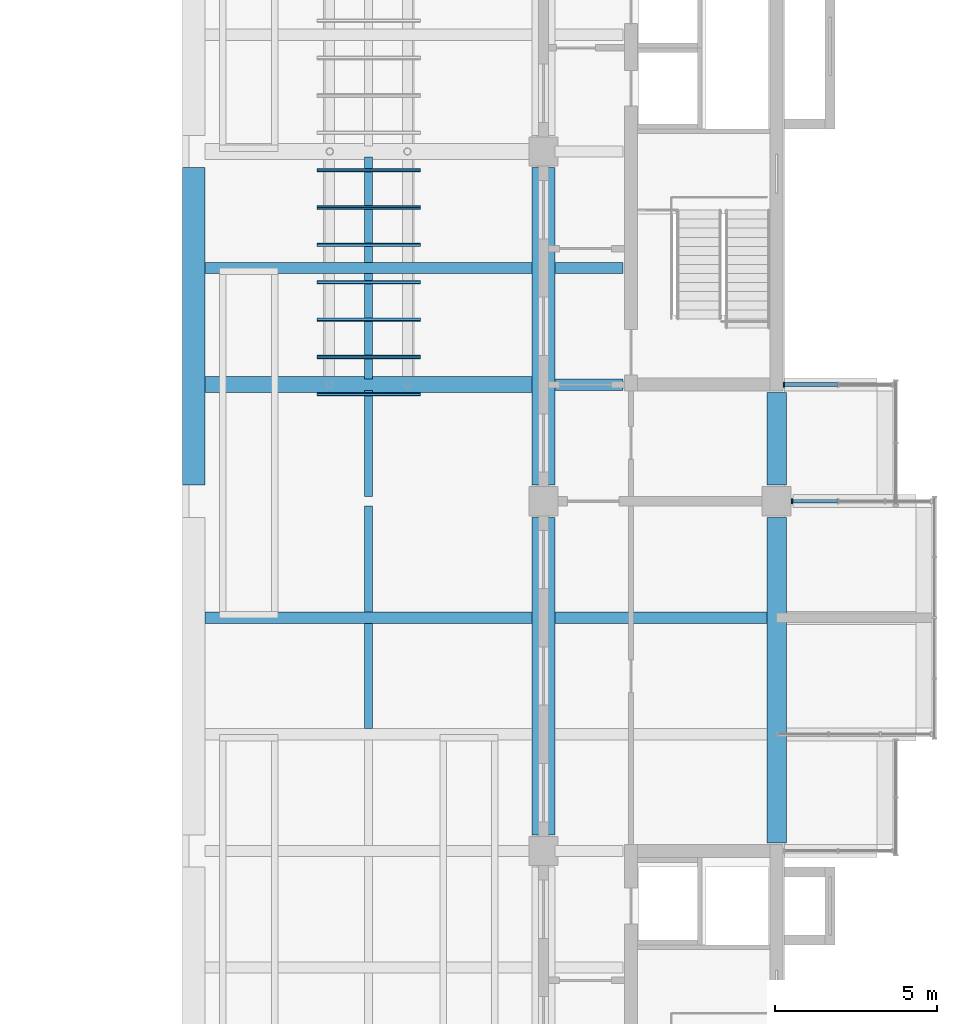
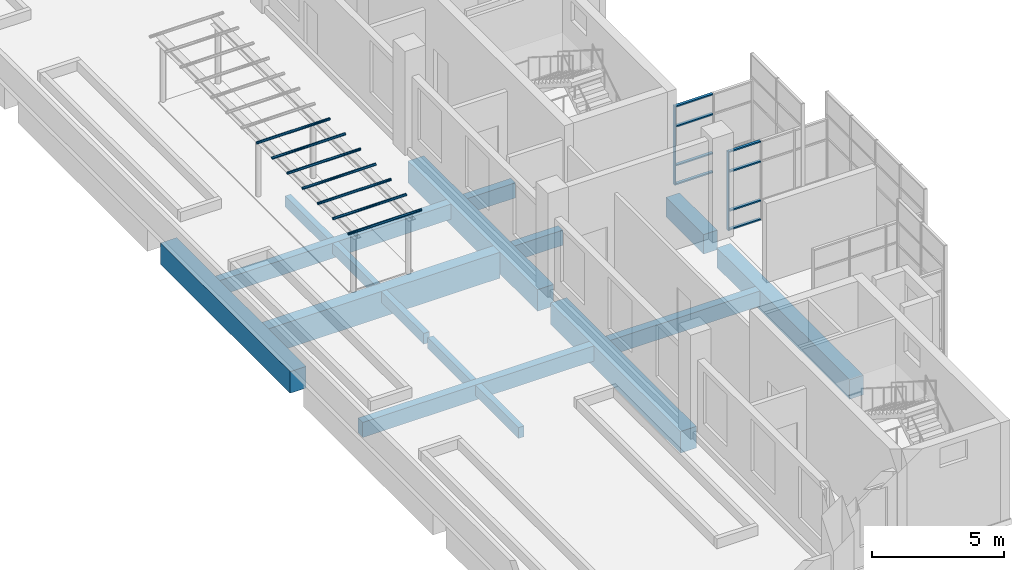
# One storey, part 10 of 32: 17 members, 16 beams, 2 elements without a shape of their own.
"""IFC4 building model written with IfcOpenShell, lengths in metres."""

from ifc_helpers import new_model, si_unit, direction, frame, origin, origin_2d, place, context, subcontext, project, spatial, rectangle, hollow_circle, extrude, material, layer, layer_set, material_profile, profile_set, type_object, element, aggregate, save


model = new_model("IFC4")

# Units and contexts
model_context = context("Model", 3, precision=1e-05, world=origin(), true_north=direction((0.0, 1.0)))
body_context = subcontext(model_context, "Body", "Model", "MODEL_VIEW")
ifc_project = project(units=[si_unit("LENGTHUNIT", "METRE"), si_unit("AREAUNIT", "SQUARE_METRE"), si_unit("VOLUMEUNIT", "CUBIC_METRE"), si_unit("PLANEANGLEUNIT", "RADIAN"), si_unit("MASSUNIT", "GRAM", prefix="KILO")], contexts=[model_context])

# Site, building, storey
site_placement = place(None, origin())
site = spatial("IfcSite", under=ifc_project, at=site_placement, CompositionType="ELEMENT")
building_placement = place(site_placement, origin())
building = spatial("IfcBuilding", under=site, at=building_placement, Name="Basin Gate Institute", CompositionType="ELEMENT")
storey_placement = place(building_placement, frame((0.0, 0.0, 41.39990234375)))
storey = spatial("IfcBuildingStorey", under=building, at=storey_placement, Name="L08", CompositionType="ELEMENT", Elevation=41.39990234375)

# Beams
ifc_material_1 = material(Name="Concrete 40 MPa", Category="concrete")
ifc_material_profile_1 = material_profile(ifc_material_1, rectangle(XDim=0.35009765625, YDim=0.699951171875, at=origin_2d()), Name="Beam B1 350 x 700")
ifc_profile_set_1 = profile_set([ifc_material_profile_1], Name="Concrete 40 MPa")
beam_type_1 = type_object("IfcBeamType", Name="Beam B1 R120", PredefinedType="BEAM", material=ifc_profile_set_1)
beam_1_placement = place(storey_placement, frame((111.25, 53.10009765625, -0.599853515625), z_axis=(-1.0, 0.0, 0.0), x_axis=(0.0, -1.0, 0.0)))
element("IfcBeam", 1, at=beam_1_placement, inside=storey, type_object=beam_type_1, material=ifc_profile_set_1, Name="BEAM/L08/E/EW/06", PredefinedType="BEAM", context=body_context, shape_type="SweptSolid", body=[
    extrude(rectangle(XDim=0.35009765625, YDim=0.699951171875, at=origin_2d()), origin(), (0.0, 0.0, 1.0), 10.10009765625),
])
beam_2_placement = place(storey_placement, frame((118.5, 53.10009765625, -0.599853515625), z_axis=(-1.0, 0.0, 0.0), x_axis=(0.0, -1.0, 0.0)))
element("IfcBeam", 2, at=beam_2_placement, inside=storey, type_object=beam_type_1, material=ifc_profile_set_1, Name="BEAM/L08/E/OUT/06", PredefinedType="BEAM", context=body_context, shape_type="SweptSolid", body=[
    extrude(rectangle(XDim=0.35009765625, YDim=0.699951171875, at=origin_2d()), origin(), (0.0, 0.0, 1.0), 6.550048828125),
])
beam_3_placement = place(storey_placement, frame((114.050048828125, 60.300048828125, -0.599853515625), z_axis=(-1.0, 0.0, 0.0), x_axis=(0.0, -1.0, 0.0)))
element("IfcBeam", 3, at=beam_3_placement, inside=storey, type_object=beam_type_1, material=ifc_profile_set_1, Name="BEAM/L08/E/CORR/08", PredefinedType="BEAM", context=body_context, shape_type="SweptSolid", body=[
    extrude(rectangle(XDim=0.35009765625, YDim=0.699951171875, at=origin_2d()), origin(), (0.0, 0.0, 1.0), 2.10009765625),
])
beam_4_placement = place(storey_placement, frame((111.25, 63.89990234375, -0.599853515625), z_axis=(-1.0, 0.0, 0.0), x_axis=(0.0, -1.0, 0.0)))
element("IfcBeam", 4, at=beam_4_placement, inside=storey, type_object=beam_type_1, material=ifc_profile_set_1, Name="BEAM/L08/E/EW/09", PredefinedType="BEAM", context=body_context, shape_type="SweptSolid", body=[
    extrude(rectangle(XDim=0.35009765625, YDim=0.699951171875, at=origin_2d()), origin(), (0.0, 0.0, 1.0), 10.10009765625),
])
beam_5_placement = place(storey_placement, frame((114.050048828125, 63.89990234375, -0.599853515625), z_axis=(-1.0, 0.0, 0.0), x_axis=(0.0, -1.0, 0.0)))
element("IfcBeam", 5, at=beam_5_placement, inside=storey, type_object=beam_type_1, material=ifc_profile_set_1, Name="BEAM/L08/E/CORR/09", PredefinedType="BEAM", context=body_context, shape_type="SweptSolid", body=[
    extrude(rectangle(XDim=0.35009765625, YDim=0.699951171875, at=origin_2d()), origin(), (0.0, 0.0, 1.0), 2.10009765625),
])
ifc_material_2 = material(Name="Concrete 50 MPa", Category="concrete")
ifc_material_profile_2 = material_profile(ifc_material_2, rectangle(XDim=0.60009765625, YDim=0.89990234375, at=origin_2d()), Name="Edge beam EB1 600 x 900")
ifc_profile_set_2 = profile_set([ifc_material_profile_2], Name="Concrete 50 MPa")
beam_type_2 = type_object("IfcBeamType", Name="Edge beam EB1 R120", PredefinedType="SPANDREL", material=ifc_profile_set_2)
beam_6_placement = place(storey_placement, frame((118.800048828125, 46.14990234375, -0.699951171875), z_axis=(0.0, 1.0, 0.0), x_axis=(-1.0, 0.0, 0.0)))
element("IfcBeam", 6, at=beam_6_placement, inside=storey, type_object=beam_type_2, material=ifc_profile_set_2, Name="BEAM/L08/E/EDGE/1", PredefinedType="SPANDREL", context=body_context, shape_type="SweptSolid", body=[
    extrude(rectangle(XDim=0.60009765625, YDim=0.89990234375, at=origin_2d()), origin(), (0.0, 0.0, 1.0), 10.050048828125),
])
ifc_material_3 = material(Name="Concrete 50 MPa", Category="concrete")
ifc_material_profile_3 = material_profile(ifc_material_3, rectangle(XDim=0.60009765625, YDim=0.89990234375, at=origin_2d()), Name="Edge return beam EB3 600 x 900")
ifc_profile_set_3 = profile_set([ifc_material_profile_3], Name="Concrete 50 MPa")
beam_type_3 = type_object("IfcBeamType", Name="Edge return beam EB3 R120", PredefinedType="SPANDREL", material=ifc_profile_set_3)
beam_7_placement = place(storey_placement, frame((118.800048828125, 57.199951171875, -0.699951171875), z_axis=(0.0, 1.0, 0.0), x_axis=(-1.0, 0.0, 0.0)))
element("IfcBeam", 7, at=beam_7_placement, inside=storey, type_object=beam_type_3, material=ifc_profile_set_3, Name="BEAM/L08/E/EDGE/2", PredefinedType="SPANDREL", context=body_context, shape_type="SweptSolid", body=[
    extrude(rectangle(XDim=0.60009765625, YDim=0.89990234375, at=origin_2d()), origin(), (0.0, 0.0, 1.0), 2.85009765625),
])
ifc_material_4 = material(Name="Concrete 40 MPa", Category="concrete")
ifc_material_profile_4 = material_profile(ifc_material_4, rectangle(XDim=0.5, YDim=1.199951171875, at=origin_2d()), Name="Garden transfer beam TB1 500 x 1200")
ifc_profile_set_4 = profile_set([ifc_material_profile_4], Name="Concrete 40 MPa")
beam_type_4 = type_object("IfcBeamType", Name="Garden transfer beam TB1", PredefinedType="BEAM", material=ifc_profile_set_4)
beam_8_placement = place(storey_placement, frame((111.25, 60.300048828125, -0.849853515625), z_axis=(-1.0, 0.0, 0.0), x_axis=(0.0, -1.0, 0.0)))
element("IfcBeam", 8, at=beam_8_placement, inside=storey, type_object=beam_type_4, material=ifc_profile_set_4, Name="BEAM/L08/E/EW/08", PredefinedType="BEAM", context=body_context, shape_type="SweptSolid", body=[
    extrude(rectangle(XDim=0.5, YDim=1.199951171875, at=origin_2d()), origin(), (0.0, 0.0, 1.0), 10.10009765625),
])
ifc_material_5 = material(Name="Concrete 50 MPa", Category="concrete")
ifc_material_profile_5 = material_profile(ifc_material_5, rectangle(XDim=0.699951171875, YDim=1.0, at=origin_2d()), Name="Girder G1 700 x 1000")
ifc_profile_set_5 = profile_set([ifc_material_profile_5], Name="Concrete 50 MPa")
beam_type_5 = type_object("IfcBeamType", Name="Girder G1 R120", PredefinedType="BEAM", material=ifc_profile_set_5)
for number, where, z_axis, x_axis, name in (
    (9, (111.60009765625, 46.39990234375, -0.75), (0.0, 1.0, 0.0), (-1.0, 0.0, 0.0), "GIR/L08/E8/2"),
    (10, (111.60009765625, 57.199951171875, -0.75), (0.0, 1.0, 0.0), (-1.0, 0.0, 0.0), "GIR/L08/E8/3"),
    (11, (100.800048828125, 57.199951171875, -0.75), (0.0, 1.0, 0.0), (-1.0, 0.0, 0.0), "GIR/L08/E7/3"),
):
    element("IfcBeam", number, at=place(storey_placement, frame(where, z_axis=z_axis, x_axis=x_axis)), inside=storey, type_object=beam_type_5, material=ifc_profile_set_5, Name=name, PredefinedType="BEAM", context=body_context, shape_type="SweptSolid", body=[
        extrude(rectangle(XDim=0.699951171875, YDim=1.0, at=origin_2d()), origin(), (0.0, 0.0, 1.0), 9.800048828125),
    ])

# Curtain wall, member
ifc_material_6 = material(Name="Aluminium-framed glazing", Category="aluminium")
ifc_layer = layer(ifc_material_6, 0.14990234375)
ifc_layer_set = layer_set([ifc_layer], Name="Capsule front curtain wall CW1")
curtain_wall_type = type_object("IfcCurtainWallType", Name="Capsule front curtain wall CW1", PredefinedType="NOTDEFINED", material=ifc_layer_set)
curtain_wall_1_placement = place(storey_placement, origin())
curtain_wall_1 = element("IfcCurtainWall", 12, at=curtain_wall_1_placement, inside=storey, type_object=curtain_wall_type, material=ifc_layer_set, Name="Capsule front curtain wall E wing capsule end L08 line 7", PredefinedType="NOTDEFINED")
ifc_material_7 = material(Name="Aluminium", Category="aluminium")
ifc_material_profile_6 = material_profile(ifc_material_7, rectangle(XDim=0.14990234375, YDim=0.050048828125, at=origin_2d()), Name="Mullion MU1 150 x 50")
ifc_profile_set_6 = profile_set([ifc_material_profile_6], Name="Aluminium")
member_type_1 = type_object("IfcMemberType", Name="Mullion MU1", PredefinedType="MULLION", material=ifc_profile_set_6)
member_1_placement = place(storey_placement, frame((119.27490234375, 56.699951171875, 0.0), z_axis=(0.0, 0.0, 1.0), x_axis=(0.0, -1.0, 0.0)))
member_1 = element("IfcMember", 13, at=member_1_placement, type_object=member_type_1, material=ifc_profile_set_6, Name="CW1 mullion 4", PredefinedType="MULLION", context=body_context, shape_type="SweptSolid", body=[
    extrude(rectangle(XDim=0.14990234375, YDim=0.050048828125, at=origin_2d()), origin(), (0.0, 0.0, 1.0), 3.650146484375),
])

curtain_wall_2_placement = place(storey_placement, origin())
curtain_wall_2 = element("IfcCurtainWall", 14, at=curtain_wall_2_placement, inside=storey, type_object=curtain_wall_type, material=ifc_layer_set, Name="Capsule front curtain wall E wing capsule end L08 line 8", PredefinedType="NOTDEFINED")
member_2_placement = place(storey_placement, frame((119.02490234375, 60.300048828125, 0.0), z_axis=(0.0, 0.0, 1.0), x_axis=(0.0, -1.0, 0.0)))
member_2 = element("IfcMember", 15, at=member_2_placement, type_object=member_type_1, material=ifc_profile_set_6, Name="CW1 mullion 3", PredefinedType="MULLION", context=body_context, shape_type="SweptSolid", body=[
    extrude(rectangle(XDim=0.14990234375, YDim=0.050048828125, at=origin_2d()), origin(), (0.0, 0.0, 1.0), 3.650146484375),
])

# Members
ifc_material_8 = material(Name="Structural steel SN490", Category="steel")
ifc_material_profile_7 = material_profile(ifc_material_8, hollow_circle(Radius=0.05712890625, WallThickness=0.0048828125, at=origin_2d()), Name="CHS114x5")
ifc_profile_set_7 = profile_set([ifc_material_profile_7], Name="Structural steel SN490")
member_type_2 = type_object("IfcMemberType", Name="Pergola rafter TD5", PredefinedType="RAFTER", material=ifc_profile_set_7)
for number, where, z_axis, x_axis, name in (
    (16, (107.800048828125, 60.0, 2.955322265625), (-1.0, 0.0, 0.0), (0.0, -1.0, 0.0), "Pergola rafter TD5 E1"),
    (17, (107.800048828125, 61.15380859375, 2.955322265625), (-1.0, 0.0, 0.0), (0.0, -1.0, 0.0), "Pergola rafter TD5 E2"),
    (18, (107.800048828125, 62.3076171875, 2.955322265625), (-1.0, 0.0, 0.0), (0.0, -1.0, 0.0), "Pergola rafter TD5 E3"),
    (19, (107.800048828125, 63.46142578125, 2.955322265625), (-1.0, 0.0, 0.0), (0.0, -1.0, 0.0), "Pergola rafter TD5 E4"),
    (20, (107.800048828125, 64.615478515625, 2.955322265625), (-1.0, 0.0, 0.0), (0.0, -1.0, 0.0), "Pergola rafter TD5 E5"),
    (21, (107.800048828125, 65.769287109375, 2.955322265625), (-1.0, 0.0, 0.0), (0.0, -1.0, 0.0), "Pergola rafter TD5 E6"),
    (22, (107.800048828125, 66.923095703125, 2.955322265625), (-1.0, 0.0, 0.0), (0.0, -1.0, 0.0), "Pergola rafter TD5 E7"),
):
    element("IfcMember", number, at=place(storey_placement, frame(where, z_axis=z_axis, x_axis=x_axis)), inside=storey, type_object=member_type_2, material=ifc_profile_set_7, Name=name, PredefinedType="RAFTER", context=body_context, shape_type="SweptSolid", body=[
        extrude(hollow_circle(Radius=0.05712890625, WallThickness=0.0048828125, at=origin_2d()), origin(), (0.0, 0.0, 1.0), 3.199951171875),
    ])

# Beams
ifc_material_9 = material(Name="Concrete 40 MPa", Category="concrete")
ifc_material_profile_8 = material_profile(ifc_material_9, rectangle(XDim=0.25, YDim=0.5, at=origin_2d()), Name="Rib R1 250 x 500")
ifc_profile_set_8 = profile_set([ifc_material_profile_8], Name="Concrete 40 MPa")
beam_type_6 = type_object("IfcBeamType", Name="Rib R1 R120", PredefinedType="JOIST", material=ifc_profile_set_8)
beam_9_placement = place(storey_placement, frame((106.199951171875, 49.675048828125, -0.5), z_axis=(0.0, 1.0, 0.0), x_axis=(-1.0, 0.0, 0.0)))
element("IfcBeam", 23, at=beam_9_placement, inside=storey, type_object=beam_type_6, material=ifc_profile_set_8, Name="BEAM/L08/E/RIB/05", PredefinedType="JOIST", context=body_context, shape_type="SweptSolid", body=[
    extrude(rectangle(XDim=0.25, YDim=0.5, at=origin_2d()), origin(), (0.0, 0.0, 1.0), 3.25),
])
beam_10_placement = place(storey_placement, frame((106.199951171875, 53.27490234375, -0.5), z_axis=(0.0, 1.0, 0.0), x_axis=(-1.0, 0.0, 0.0)))
element("IfcBeam", 24, at=beam_10_placement, inside=storey, type_object=beam_type_6, material=ifc_profile_set_8, Name="BEAM/L08/E/RIB/06", PredefinedType="JOIST", context=body_context, shape_type="SweptSolid", body=[
    extrude(rectangle(XDim=0.25, YDim=0.5, at=origin_2d()), origin(), (0.0, 0.0, 1.0), 3.275146484375),
])
beam_11_placement = place(storey_placement, frame((106.199951171875, 56.85009765625, -0.5), z_axis=(0.0, 1.0, 0.0), x_axis=(-1.0, 0.0, 0.0)))
element("IfcBeam", 25, at=beam_11_placement, inside=storey, type_object=beam_type_6, material=ifc_profile_set_8, Name="BEAM/L08/E/RIB/07", PredefinedType="JOIST", context=body_context, shape_type="SweptSolid", body=[
    extrude(rectangle(XDim=0.25, YDim=0.5, at=origin_2d()), origin(), (0.0, 0.0, 1.0), 3.27490234375),
])
for number, where, z_axis, x_axis, name in (
    (26, (106.199951171875, 60.47509765625, -0.5), (0.0, 1.0, 0.0), (-1.0, 0.0, 0.0), "BEAM/L08/E/RIB/08"),
    (27, (106.199951171875, 64.074951171875, -0.5), (0.0, 1.0, 0.0), (-1.0, 0.0, 0.0), "BEAM/L08/E/RIB/09"),
):
    element("IfcBeam", number, at=place(storey_placement, frame(where, z_axis=z_axis, x_axis=x_axis)), inside=storey, type_object=beam_type_6, material=ifc_profile_set_8, Name=name, PredefinedType="JOIST", context=body_context, shape_type="SweptSolid", body=[
        extrude(rectangle(XDim=0.25, YDim=0.5, at=origin_2d()), origin(), (0.0, 0.0, 1.0), 3.25),
    ])

# Member
ifc_material_10 = material(Name="Aluminium", Category="aluminium")
ifc_material_profile_9 = material_profile(ifc_material_10, rectangle(XDim=0.1201171875, YDim=0.06005859375, at=origin_2d()), Name="Transom TR1 120 x 60")
ifc_profile_set_9 = profile_set([ifc_material_profile_9], Name="Aluminium")
member_type_3 = type_object("IfcMemberType", Name="Transom TR1", PredefinedType="USERDEFINED", material=ifc_profile_set_9)
member_3_placement = place(storey_placement, frame((120.675048828125, 56.699951171875, 0.030029296875), z_axis=(-1.0, 0.0, 0.0), x_axis=(0.0, -1.0, 0.0)))
member_3 = element("IfcMember", 28, at=member_3_placement, type_object=member_type_3, material=ifc_profile_set_9, Name="CW1 transom 3.1", ObjectType="TRANSOM", PredefinedType="USERDEFINED", context=body_context, shape_type="SweptSolid", body=[
    extrude(rectangle(XDim=0.1201171875, YDim=0.06005859375, at=origin_2d()), origin(), (0.0, 0.0, 1.0), 1.375),
])

member_4_placement = place(storey_placement, frame((120.675048828125, 56.699951171875, 0.900146484375), z_axis=(-1.0, 0.0, 0.0), x_axis=(0.0, -1.0, 0.0)))
member_4 = element("IfcMember", 29, at=member_4_placement, type_object=member_type_3, material=ifc_profile_set_9, Name="CW1 transom 3.2", ObjectType="TRANSOM", PredefinedType="USERDEFINED", context=body_context, shape_type="SweptSolid", body=[
    extrude(rectangle(XDim=0.1201171875, YDim=0.06005859375, at=origin_2d()), origin(), (0.0, 0.0, 1.0), 1.375),
])

member_5_placement = place(storey_placement, frame((120.675048828125, 56.699951171875, 2.7001953125), z_axis=(-1.0, 0.0, 0.0), x_axis=(0.0, -1.0, 0.0)))
member_5 = element("IfcMember", 30, at=member_5_placement, type_object=member_type_3, material=ifc_profile_set_9, Name="CW1 transom 3.3", ObjectType="TRANSOM", PredefinedType="USERDEFINED", context=body_context, shape_type="SweptSolid", body=[
    extrude(rectangle(XDim=0.1201171875, YDim=0.06005859375, at=origin_2d()), origin(), (0.0, 0.0, 1.0), 1.375),
])

member_6_placement = place(storey_placement, frame((120.675048828125, 56.699951171875, 3.6201171875), z_axis=(-1.0, 0.0, 0.0), x_axis=(0.0, -1.0, 0.0)))
member_6 = element("IfcMember", 31, at=member_6_placement, type_object=member_type_3, material=ifc_profile_set_9, Name="CW1 transom 3.4", ObjectType="TRANSOM", PredefinedType="USERDEFINED", context=body_context, shape_type="SweptSolid", body=[
    extrude(rectangle(XDim=0.1201171875, YDim=0.06005859375, at=origin_2d()), origin(), (0.0, 0.0, 1.0), 1.375),
])

aggregate(curtain_wall_1, [member_1, member_3, member_4, member_5, member_6])

member_7_placement = place(storey_placement, frame((120.675048828125, 60.300048828125, 0.030029296875), z_axis=(-1.0, 0.0, 0.0), x_axis=(0.0, -1.0, 0.0)))
member_7 = element("IfcMember", 32, at=member_7_placement, type_object=member_type_3, material=ifc_profile_set_9, Name="CW1 transom 2.1", ObjectType="TRANSOM", PredefinedType="USERDEFINED", context=body_context, shape_type="SweptSolid", body=[
    extrude(rectangle(XDim=0.1201171875, YDim=0.06005859375, at=origin_2d()), origin(), (0.0, 0.0, 1.0), 1.625),
])

member_8_placement = place(storey_placement, frame((120.675048828125, 60.300048828125, 0.900146484375), z_axis=(-1.0, 0.0, 0.0), x_axis=(0.0, -1.0, 0.0)))
member_8 = element("IfcMember", 33, at=member_8_placement, type_object=member_type_3, material=ifc_profile_set_9, Name="CW1 transom 2.2", ObjectType="TRANSOM", PredefinedType="USERDEFINED", context=body_context, shape_type="SweptSolid", body=[
    extrude(rectangle(XDim=0.1201171875, YDim=0.06005859375, at=origin_2d()), origin(), (0.0, 0.0, 1.0), 1.625),
])

member_9_placement = place(storey_placement, frame((120.675048828125, 60.300048828125, 2.7001953125), z_axis=(-1.0, 0.0, 0.0), x_axis=(0.0, -1.0, 0.0)))
member_9 = element("IfcMember", 34, at=member_9_placement, type_object=member_type_3, material=ifc_profile_set_9, Name="CW1 transom 2.3", ObjectType="TRANSOM", PredefinedType="USERDEFINED", context=body_context, shape_type="SweptSolid", body=[
    extrude(rectangle(XDim=0.1201171875, YDim=0.06005859375, at=origin_2d()), origin(), (0.0, 0.0, 1.0), 1.625),
])

member_10_placement = place(storey_placement, frame((120.675048828125, 60.300048828125, 3.6201171875), z_axis=(-1.0, 0.0, 0.0), x_axis=(0.0, -1.0, 0.0)))
member_10 = element("IfcMember", 35, at=member_10_placement, type_object=member_type_3, material=ifc_profile_set_9, Name="CW1 transom 2.4", ObjectType="TRANSOM", PredefinedType="USERDEFINED", context=body_context, shape_type="SweptSolid", body=[
    extrude(rectangle(XDim=0.1201171875, YDim=0.06005859375, at=origin_2d()), origin(), (0.0, 0.0, 1.0), 1.625),
])

aggregate(curtain_wall_2, [member_2, member_7, member_8, member_9, member_10])

save(model, "model.ifc")
